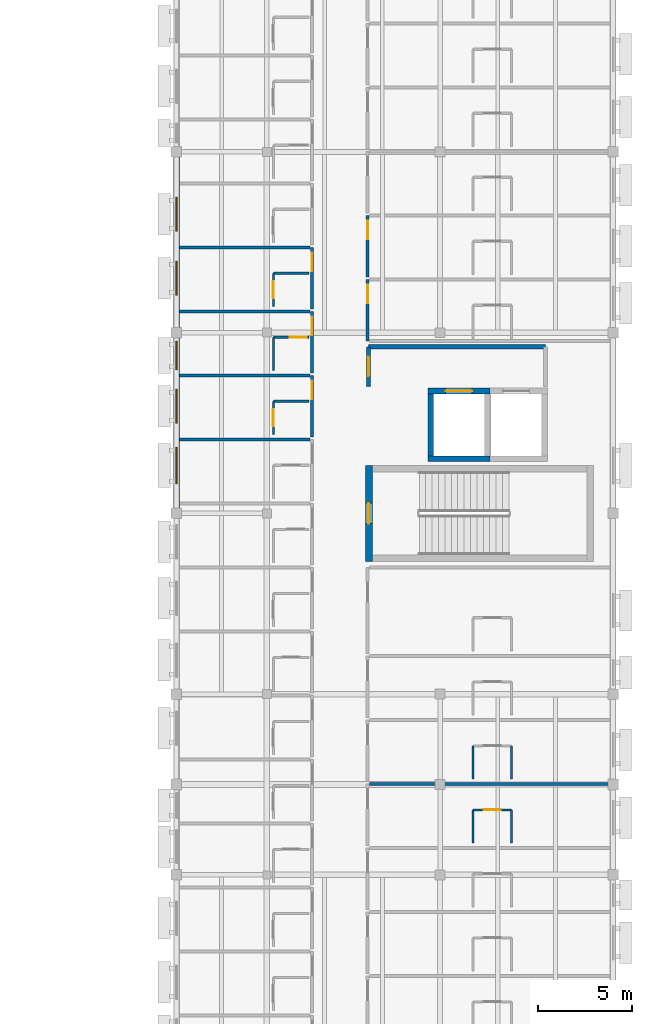
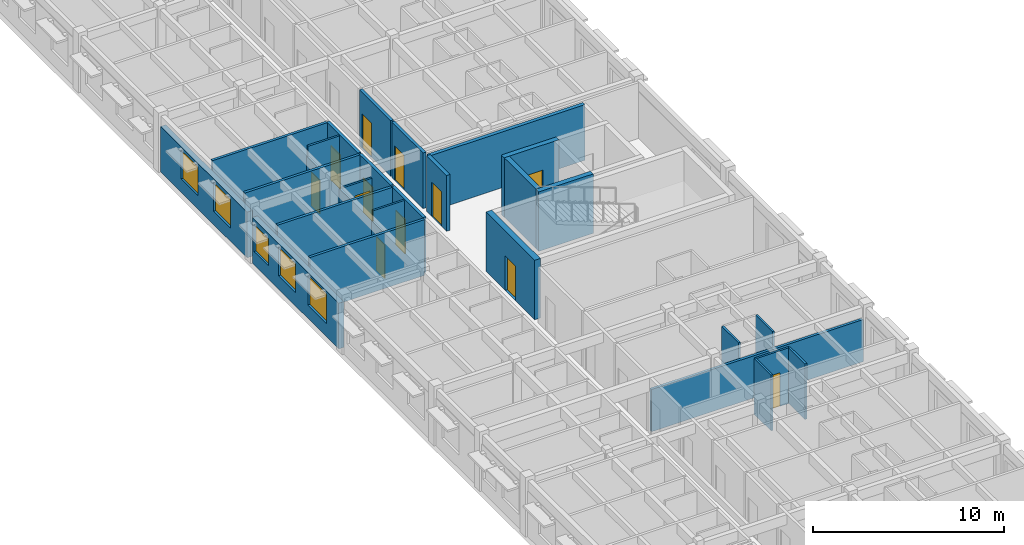
# One storey, part 28 of 40: 29 walls, 12 doors, 5 windows, 17 openings.
"""IFC4 building model written with IfcOpenShell, lengths in metres."""

from ifc_helpers import new_model, si_unit, direction, frame, frame_2d, origin, place, context, subcontext, project, spatial, rectangle, extrude, material, layer, layer_set, type_object, element, fill, save


model = new_model("IFC4")

# Units and contexts
model_context = context("Model", 3, precision=1e-05, world=origin(), true_north=direction((0.0, 1.0)))
body_context = subcontext(model_context, "Body", "Model", "MODEL_VIEW")
ifc_project = project(units=[si_unit("LENGTHUNIT", "METRE"), si_unit("AREAUNIT", "SQUARE_METRE"), si_unit("VOLUMEUNIT", "CUBIC_METRE"), si_unit("PLANEANGLEUNIT", "RADIAN"), si_unit("MASSUNIT", "GRAM", prefix="KILO")], contexts=[model_context])

# Site, building, storey
site_placement = place(None, origin())
site = spatial("IfcSite", under=ifc_project, at=site_placement, CompositionType="ELEMENT")
building_placement = place(site_placement, origin())
building = spatial("IfcBuilding", under=site, at=building_placement, Name="Veldera Park Congress Hotel", CompositionType="ELEMENT")
storey_placement = place(building_placement, frame((0.0, 0.0, 16.199951171875)))
storey = spatial("IfcBuildingStorey", under=building, at=storey_placement, Name="L03", CompositionType="ELEMENT", Elevation=16.199951171875)

# Wall, openings, windows
ifc_material_1 = material(Name="Cross-laminated timber CLT V2M1.1", Category="wood")
ifc_layer_1 = layer(ifc_material_1, 0.320068359375)
ifc_layer_set_1 = layer_set([ifc_layer_1], Name="Cross-laminated timber CLT V2M1.1")
wall_type_1 = type_object("IfcWallType", Name="EW-CLT320", PredefinedType="STANDARD", material=ifc_layer_set_1)
wall_1_placement = place(storey_placement, frame((60.800048828125, 9.922119140625, 0.0), z_axis=(0.0, 0.0, 1.0), x_axis=(0.0, -1.0, 0.0)))
wall_1 = element("IfcWall", 1, at=wall_1_placement, inside=storey, type_object=wall_type_1, Name="L03 Exterior Wall EW3-L03-0235", PredefinedType="STANDARD", context=body_context, shape_type="SweptSolid", body=[
    extrude(rectangle(XDim=9.044189453125, YDim=0.320068359375, at=frame_2d((4.52197265625, 0.0))), origin(), (0.0, 0.0, 1.0), 2.9150390625),
])
opening_1_placement = place(wall_1_placement, frame((5.531982421875, 0.0, 0.85009765625)))
opening_1 = element("IfcOpeningElement", 2, at=opening_1_placement, cuts=wall_1, Name="Opening WIN-1800", PredefinedType="OPENING", context=body_context, shape_type="SweptSolid", body=[
    extrude(rectangle(XDim=1.800048828125, YDim=1.85009765625, at=frame_2d((0.89990234375, 0.925048828125))), frame((0.0, 0.172119140625, 0.0), z_axis=(0.0, -1.0, 0.0), x_axis=(1.0, 0.0, 0.0)), (0.0, 0.0, 1.0), 0.343994140625),
])
opening_2_placement = place(wall_1_placement, frame((2.132080078125, 0.0, 0.85009765625)))
opening_2 = element("IfcOpeningElement", 3, at=opening_2_placement, cuts=wall_1, Name="Opening WIN-1800", PredefinedType="OPENING", context=body_context, shape_type="SweptSolid", body=[
    extrude(rectangle(XDim=1.800048828125, YDim=1.85009765625, at=frame_2d((0.89990234375, 0.925048828125))), frame((0.0, 0.172119140625, 0.0), z_axis=(0.0, -1.0, 0.0), x_axis=(1.0, 0.0, 0.0)), (0.0, 0.0, 1.0), 0.343994140625),
])
ifc_material_2 = material(Name="Low-E Triple Insulating Glass Unit (SHGC 0.22)", Category="glass")
window_type_1 = type_object("IfcWindowType", Name="WIN-1800", PartitioningType="SINGLE_PANEL", PredefinedType="WINDOW", material=ifc_material_2)
window_1_placement = place(opening_1_placement, origin())
window_1 = element("IfcWindow", 4, at=window_1_placement, inside=storey, type_object=window_type_1, Name="L03 Window WIN-1800 410", OverallHeight=1.85009765625, OverallWidth=1.800048828125, PartitioningType="SINGLE_PANEL", PredefinedType="WINDOW", context=body_context, shape_type="SweptSolid", body=[
    extrude(rectangle(XDim=1.800048828125, YDim=1.85009765625, at=frame_2d((0.89990234375, 0.925048828125))), frame((0.0, 0.030029296875, 0.0), z_axis=(0.0, -1.0, 0.0), x_axis=(1.0, 0.0, 0.0)), (0.0, 0.0, 1.0), 0.06005859375),
])
fill(opening_1, window_1)
window_2_placement = place(opening_2_placement, origin())
window_2 = element("IfcWindow", 5, at=window_2_placement, inside=storey, type_object=window_type_1, Name="L03 Window WIN-1800 411", OverallHeight=1.85009765625, OverallWidth=1.800048828125, PartitioningType="SINGLE_PANEL", PredefinedType="WINDOW", context=body_context, shape_type="SweptSolid", body=[
    extrude(rectangle(XDim=1.800048828125, YDim=1.85009765625, at=frame_2d((0.89990234375, 0.925048828125))), frame((0.0, 0.030029296875, 0.0), z_axis=(0.0, -1.0, 0.0), x_axis=(1.0, 0.0, 0.0)), (0.0, 0.0, 1.0), 0.06005859375),
])
fill(opening_2, window_2)

wall_2_placement = place(storey_placement, frame((60.800048828125, 0.322021484375, 0.0), z_axis=(0.0, 0.0, 1.0), x_axis=(0.0, -1.0, 0.0)))
wall_2 = element("IfcWall", 6, at=wall_2_placement, inside=storey, type_object=wall_type_1, Name="L03 Exterior Wall EW3-L03-0236", PredefinedType="STANDARD", context=body_context, shape_type="SweptSolid", body=[
    extrude(rectangle(XDim=9.0439453125, YDim=0.320068359375, at=frame_2d((4.52197265625, 0.0))), origin(), (0.0, 0.0, 1.0), 2.9150390625),
])
opening_3_placement = place(wall_2_placement, frame((5.80810546875, 0.0, 0.85009765625)))
opening_3 = element("IfcOpeningElement", 7, at=opening_3_placement, cuts=wall_2, Name="Opening WIN-1950", PredefinedType="OPENING", context=body_context, shape_type="SweptSolid", body=[
    extrude(rectangle(XDim=1.949951171875, YDim=1.89990234375, at=frame_2d((0.97509765625, 0.949951171875))), frame((0.0, 0.172119140625, 0.0), z_axis=(0.0, -1.0, 0.0), x_axis=(1.0, 0.0, 0.0)), (0.0, 0.0, 1.0), 0.343994140625),
])
opening_4_placement = place(wall_2_placement, frame((2.73193359375, 0.0, 0.85009765625)))
opening_4 = element("IfcOpeningElement", 8, at=opening_4_placement, cuts=wall_2, Name="Opening WIN-1800", PredefinedType="OPENING", context=body_context, shape_type="SweptSolid", body=[
    extrude(rectangle(XDim=1.800048828125, YDim=1.85009765625, at=frame_2d((0.89990234375, 0.925048828125))), frame((0.0, 0.172119140625, 0.0), z_axis=(0.0, -1.0, 0.0), x_axis=(1.0, 0.0, 0.0)), (0.0, 0.0, 1.0), 0.343994140625),
])
opening_5_placement = place(wall_2_placement, frame((0.18603515625, 0.0, 0.85009765625)))
opening_5 = element("IfcOpeningElement", 9, at=opening_5_placement, cuts=wall_2, Name="Opening WIN-1500", PredefinedType="OPENING", context=body_context, shape_type="SweptSolid", body=[
    extrude(rectangle(XDim=1.5, YDim=1.75, at=frame_2d((0.75, 0.875))), frame((0.0, 0.172119140625, 0.0), z_axis=(0.0, -1.0, 0.0), x_axis=(1.0, 0.0, 0.0)), (0.0, 0.0, 1.0), 0.343994140625),
])
window_type_2 = type_object("IfcWindowType", Name="WIN-1500", PartitioningType="SINGLE_PANEL", PredefinedType="WINDOW", material=ifc_material_2)
window_3_placement = place(opening_5_placement, origin())
window_3 = element("IfcWindow", 10, at=window_3_placement, inside=storey, type_object=window_type_2, Name="L03 Window WIN-1500 409", OverallHeight=1.75, OverallWidth=1.5, PartitioningType="SINGLE_PANEL", PredefinedType="WINDOW", context=body_context, shape_type="SweptSolid", body=[
    extrude(rectangle(XDim=1.5, YDim=1.75, at=frame_2d((0.75, 0.875))), frame((0.0, 0.030029296875, 0.0), z_axis=(0.0, -1.0, 0.0), x_axis=(1.0, 0.0, 0.0)), (0.0, 0.0, 1.0), 0.06005859375),
])
fill(opening_5, window_3)
window_4_placement = place(opening_4_placement, origin())
window_4 = element("IfcWindow", 11, at=window_4_placement, inside=storey, type_object=window_type_1, Name="L03 Window WIN-1800 408", OverallHeight=1.85009765625, OverallWidth=1.800048828125, PartitioningType="SINGLE_PANEL", PredefinedType="WINDOW", context=body_context, shape_type="SweptSolid", body=[
    extrude(rectangle(XDim=1.800048828125, YDim=1.85009765625, at=frame_2d((0.89990234375, 0.925048828125))), frame((0.0, 0.030029296875, 0.0), z_axis=(0.0, -1.0, 0.0), x_axis=(1.0, 0.0, 0.0)), (0.0, 0.0, 1.0), 0.06005859375),
])
fill(opening_4, window_4)
window_type_3 = type_object("IfcWindowType", Name="WIN-1950", PartitioningType="DOUBLE_PANEL_VERTICAL", PredefinedType="WINDOW", material=ifc_material_2)
window_5_placement = place(opening_3_placement, origin())
window_5 = element("IfcWindow", 12, at=window_5_placement, inside=storey, type_object=window_type_3, Name="L03 Window WIN-1950 198", OverallHeight=1.89990234375, OverallWidth=1.949951171875, PartitioningType="DOUBLE_PANEL_VERTICAL", PredefinedType="WINDOW", context=body_context, shape_type="SweptSolid", body=[
    extrude(rectangle(XDim=1.949951171875, YDim=1.89990234375, at=frame_2d((0.97509765625, 0.949951171875))), frame((0.0, 0.030029296875, 0.0), z_axis=(0.0, -1.0, 0.0), x_axis=(1.0, 0.0, 0.0)), (0.0, 0.0, 1.0), 0.06005859375),
])
fill(opening_3, window_5)

# Wall, opening, door
ifc_material_3 = material(Name="Fire-Rated Gypsum Board on Cold-Formed Steel Studs", Category="steel")
ifc_layer_2 = layer(ifc_material_3, 0.1201171875)
ifc_layer_set_2 = layer_set([ifc_layer_2], Name="Fire-Rated Gypsum Board on Cold-Formed Steel Studs")
wall_type_2 = type_object("IfcWallType", Name="IW-BATH120", PredefinedType="PARTITIONING", material=ifc_layer_set_2)
wall_3_placement = place(storey_placement, frame((65.949951171875, -4.800048828125, 0.0), z_axis=(0.0, 0.0, 1.0), x_axis=(0.0, 1.0, 0.0)))
wall_3 = element("IfcWall", 13, at=wall_3_placement, inside=storey, type_object=wall_type_2, Name="L03 Partition Wall IW3-L03-00630", PredefinedType="PARTITIONING", context=body_context, shape_type="SweptSolid", body=[
    extrude(rectangle(XDim=1.75, YDim=0.1201171875, at=frame_2d((0.875, 0.0))), origin(), (0.0, 0.0, 1.0), 2.9150390625),
])
opening_6_placement = place(wall_3_placement, frame((0.425048828125, 0.0, 0.0)))
opening_6 = element("IfcOpeningElement", 14, at=opening_6_placement, cuts=wall_3, Name="Opening ID-BATH090", PredefinedType="OPENING", context=body_context, shape_type="SweptSolid", body=[
    extrude(rectangle(XDim=0.89990234375, YDim=2.14990234375, at=frame_2d((0.449951171875, 1.074951171875))), frame((0.0, 0.072021484375, 0.0), z_axis=(0.0, -1.0, 0.0), x_axis=(1.0, 0.0, 0.0)), (0.0, 0.0, 1.0), 0.14404296875),
])
ifc_material_4 = material(Name="Solid Core White Oak Architectural Door", Category="wood")
door_type_1 = type_object("IfcDoorType", Name="ID-BATH090", OperationType="NOTDEFINED", PredefinedType="DOOR", material=ifc_material_4)
door_1_placement = place(opening_6_placement, origin())
door_1 = element("IfcDoor", 15, at=door_1_placement, inside=storey, type_object=door_type_1, Name="L03 En-suite 059 Door ID3-L03-0257 (DR3-ID3-L03-0257)", OperationType="SINGLE_SWING_LEFT", OverallHeight=2.14990234375, OverallWidth=0.89990234375, PredefinedType="DOOR", context=body_context, shape_type="SweptSolid", body=[
    extrude(rectangle(XDim=0.89990234375, YDim=2.14990234375, at=frame_2d((0.449951171875, 1.074951171875))), frame((0.0, 0.02490234375, 0.0), z_axis=(0.0, -1.0, 0.0), x_axis=(1.0, 0.0, 0.0)), (0.0, 0.0, 1.0), 0.050048828125),
])
fill(opening_6, door_1)

# Walls
wall_4_placement = place(storey_placement, frame((65.949951171875, -3.050048828125, 0.0), z_axis=(0.0, 0.0, 1.0), x_axis=(1.0, 0.0, 0.0)))
element("IfcWall", 16, at=wall_4_placement, inside=storey, type_object=wall_type_2, Name="L03 Partition Wall IW3-L03-00631", PredefinedType="PARTITIONING", context=body_context, shape_type="SweptSolid", body=[
    extrude(rectangle(XDim=1.900146484375, YDim=0.1201171875, at=frame_2d((0.9501953125, 0.0))), origin(), (0.0, 0.0, 1.0), 3.56005859375),
])
wall_5_placement = place(storey_placement, frame((65.949951171875, -1.39990234375, 0.0), z_axis=(0.0, 0.0, 1.0), x_axis=(0.0, 1.0, 0.0)))
element("IfcWall", 17, at=wall_5_placement, inside=storey, type_object=wall_type_2, Name="L03 Partition Wall IW3-L03-00634", PredefinedType="PARTITIONING", context=body_context, shape_type="SweptSolid", body=[
    extrude(rectangle(XDim=1.75, YDim=0.1201171875, at=frame_2d((0.875, 0.0))), origin(), (0.0, 0.0, 1.0), 2.9150390625),
])

# Wall, opening, door
wall_6_placement = place(storey_placement, frame((65.949951171875, 0.35009765625, 0.0), z_axis=(0.0, 0.0, 1.0), x_axis=(1.0, 0.0, 0.0)))
wall_6 = element("IfcWall", 18, at=wall_6_placement, inside=storey, type_object=wall_type_2, Name="L03 Partition Wall IW3-L03-00635", PredefinedType="PARTITIONING", context=body_context, shape_type="SweptSolid", body=[
    extrude(rectangle(XDim=1.900146484375, YDim=0.1201171875, at=frame_2d((0.9501953125, 0.0))), origin(), (0.0, 0.0, 1.0), 2.9150390625),
])
opening_7_placement = place(wall_6_placement, frame((0.8798828125, 0.0, 0.0)))
opening_7 = element("IfcOpeningElement", 19, at=opening_7_placement, cuts=wall_6, Name="Opening ID-BATH090", PredefinedType="OPENING", context=body_context, shape_type="SweptSolid", body=[
    extrude(rectangle(XDim=0.89990234375, YDim=2.14990234375, at=frame_2d((0.449951171875, 1.074951171875))), frame((0.0, 0.072021484375, 0.0), z_axis=(0.0, -1.0, 0.0), x_axis=(1.0, 0.0, 0.0)), (0.0, 0.0, 1.0), 0.14404296875),
])
door_2_placement = place(opening_7_placement, origin())
door_2 = element("IfcDoor", 20, at=door_2_placement, inside=storey, type_object=door_type_1, Name="L03 En-suite 060 Door ID3-L03-0259 (DR3-ID3-L03-0259)", OperationType="SINGLE_SWING_LEFT", OverallHeight=2.14990234375, OverallWidth=0.89990234375, PredefinedType="DOOR", context=body_context, shape_type="SweptSolid", body=[
    extrude(rectangle(XDim=0.89990234375, YDim=2.14990234375, at=frame_2d((0.449951171875, 1.074951171875))), frame((0.0, 0.02490234375, 0.0), z_axis=(0.0, -1.0, 0.0), x_axis=(1.0, 0.0, 0.0)), (0.0, 0.0, 1.0), 0.050048828125),
])
fill(opening_7, door_2)

wall_7_placement = place(storey_placement, frame((65.949951171875, 2.0, 0.0), z_axis=(0.0, 0.0, 1.0), x_axis=(0.0, 1.0, 0.0)))
wall_7 = element("IfcWall", 21, at=wall_7_placement, inside=storey, type_object=wall_type_2, Name="L03 Partition Wall IW3-L03-00638", PredefinedType="PARTITIONING", context=body_context, shape_type="SweptSolid", body=[
    extrude(rectangle(XDim=1.75, YDim=0.1201171875, at=frame_2d((0.875, 0.0))), origin(), (0.0, 0.0, 1.0), 2.9150390625),
])
opening_8_placement = place(wall_7_placement, frame((0.425048828125, 0.0, 0.0)))
opening_8 = element("IfcOpeningElement", 22, at=opening_8_placement, cuts=wall_7, Name="Opening ID-BATH090", PredefinedType="OPENING", context=body_context, shape_type="SweptSolid", body=[
    extrude(rectangle(XDim=0.89990234375, YDim=2.14990234375, at=frame_2d((0.449951171875, 1.074951171875))), frame((0.0, 0.072021484375, 0.0), z_axis=(0.0, -1.0, 0.0), x_axis=(1.0, 0.0, 0.0)), (0.0, 0.0, 1.0), 0.14404296875),
])
door_3_placement = place(opening_8_placement, origin())
door_3 = element("IfcDoor", 23, at=door_3_placement, inside=storey, type_object=door_type_1, Name="L03 En-suite 061 Door ID3-L03-0261 (DR3-ID3-L03-0261)", OperationType="SINGLE_SWING_LEFT", OverallHeight=2.14990234375, OverallWidth=0.89990234375, PredefinedType="DOOR", context=body_context, shape_type="SweptSolid", body=[
    extrude(rectangle(XDim=0.89990234375, YDim=2.14990234375, at=frame_2d((0.449951171875, 1.074951171875))), frame((0.0, 0.02490234375, 0.0), z_axis=(0.0, -1.0, 0.0), x_axis=(1.0, 0.0, 0.0)), (0.0, 0.0, 1.0), 0.050048828125),
])
fill(opening_8, door_3)

# Walls
wall_8_placement = place(storey_placement, frame((65.949951171875, 3.75, 0.0), z_axis=(0.0, 0.0, 1.0), x_axis=(1.0, 0.0, 0.0)))
element("IfcWall", 24, at=wall_8_placement, inside=storey, type_object=wall_type_2, Name="L03 Partition Wall IW3-L03-00639", PredefinedType="PARTITIONING", context=body_context, shape_type="SweptSolid", body=[
    extrude(rectangle(XDim=1.900146484375, YDim=0.1201171875, at=frame_2d((0.9501953125, 0.0))), origin(), (0.0, 0.0, 1.0), 3.56005859375),
])
for number, where, z_axis, x_axis, name in (
    (25, (76.550048828125, -26.5, 0.0), (0.0, 0.0, 1.0), (0.0, 1.0, 0.0), "L03 Partition Wall IW3-L03-00701"),
    (26, (78.60009765625, -26.5, 0.0), (0.0, 0.0, 1.0), (0.0, 1.0, 0.0), "L03 Partition Wall IW3-L03-00702"),
):
    element("IfcWall", number, at=place(storey_placement, frame(where, z_axis=z_axis, x_axis=x_axis)), inside=storey, type_object=wall_type_2, Name=name, PredefinedType="PARTITIONING", context=body_context, shape_type="SweptSolid", body=[
        extrude(rectangle(XDim=1.75, YDim=0.1201171875, at=frame_2d((0.875, 0.0))), origin(), (0.0, 0.0, 1.0), 3.56005859375),
    ])

# Wall, opening, door
wall_9_placement = place(storey_placement, frame((76.550048828125, -24.75, 0.0), z_axis=(0.0, 0.0, 1.0), x_axis=(1.0, 0.0, 0.0)))
wall_9 = element("IfcWall", 27, at=wall_9_placement, inside=storey, type_object=wall_type_2, Name="L03 Partition Wall IW3-L03-00703", PredefinedType="PARTITIONING", context=body_context, shape_type="SweptSolid", body=[
    extrude(rectangle(XDim=2.050048828125, YDim=0.1201171875, at=frame_2d((1.02490234375, 0.0))), origin(), (0.0, 0.0, 1.0), 3.56005859375),
])
opening_9_placement = place(wall_9_placement, frame((0.574951171875, 0.0, 0.0)))
opening_9 = element("IfcOpeningElement", 28, at=opening_9_placement, cuts=wall_9, Name="Opening ID-BATH090", PredefinedType="OPENING", context=body_context, shape_type="SweptSolid", body=[
    extrude(rectangle(XDim=0.89990234375, YDim=2.14990234375, at=frame_2d((0.449951171875, 1.074951171875))), frame((0.0, 0.072021484375, 0.0), z_axis=(0.0, -1.0, 0.0), x_axis=(1.0, 0.0, 0.0)), (0.0, 0.0, 1.0), 0.14404296875),
])
door_4_placement = place(opening_9_placement, origin())
door_4 = element("IfcDoor", 29, at=door_4_placement, inside=storey, type_object=door_type_1, Name="L03 En-suite 075 Door ID3-L03-0289 (DR3-ID3-L03-0289)", OperationType="SINGLE_SWING_LEFT", OverallHeight=2.14990234375, OverallWidth=0.89990234375, PredefinedType="DOOR", context=body_context, shape_type="SweptSolid", body=[
    extrude(rectangle(XDim=0.89990234375, YDim=2.14990234375, at=frame_2d((0.449951171875, 1.074951171875))), frame((0.0, 0.02490234375, 0.0), z_axis=(0.0, -1.0, 0.0), x_axis=(1.0, 0.0, 0.0)), (0.0, 0.0, 1.0), 0.050048828125),
])
fill(opening_9, door_4)

# Walls
for number, where, z_axis, x_axis, name in (
    (30, (76.550048828125, -23.10009765625, 0.0), (0.0, 0.0, 1.0), (0.0, 1.0, 0.0), "L03 Partition Wall IW3-L03-00706"),
    (31, (78.60009765625, -23.10009765625, 0.0), (0.0, 0.0, 1.0), (0.0, 1.0, 0.0), "L03 Partition Wall IW3-L03-00707"),
):
    element("IfcWall", number, at=place(storey_placement, frame(where, z_axis=z_axis, x_axis=x_axis)), inside=storey, type_object=wall_type_2, Name=name, PredefinedType="PARTITIONING", context=body_context, shape_type="SweptSolid", body=[
        extrude(rectangle(XDim=1.75, YDim=0.1201171875, at=frame_2d((0.875, 0.0))), origin(), (0.0, 0.0, 1.0), 3.56005859375),
    ])

# Wall, opening, door
ifc_layer_3 = layer(ifc_material_3, 0.179931640625)
ifc_layer_set_3 = layer_set([ifc_layer_3], Name="Fire-Rated Gypsum Board on Cold-Formed Steel Studs")
wall_type_3 = type_object("IfcWallType", Name="IW-CORR180", PredefinedType="PARTITIONING", material=ifc_layer_set_3)
wall_10_placement = place(storey_placement, frame((68.0, -4.949951171875, 0.0), z_axis=(0.0, 0.0, 1.0), x_axis=(0.0, 1.0, 0.0)))
wall_10 = element("IfcWall", 32, at=wall_10_placement, inside=storey, type_object=wall_type_3, Name="L03 Corridor Wall IW3-L03-00628", PredefinedType="PARTITIONING", context=body_context, shape_type="SweptSolid", body=[
    extrude(rectangle(XDim=3.280029296875, YDim=0.179931640625, at=frame_2d((1.64013671875, 0.0))), origin(), (0.0, 0.0, 1.0), 3.56005859375),
])
opening_10_placement = place(wall_10_placement, frame((2.0, 0.0, 0.0)))
opening_10 = element("IfcOpeningElement", 33, at=opening_10_placement, cuts=wall_10, Name="Opening ID-UNIT100", PredefinedType="OPENING", context=body_context, shape_type="SweptSolid", body=[
    extrude(rectangle(XDim=1.0, YDim=2.199951171875, at=frame_2d((0.5, 1.10009765625))), frame((0.0, 0.10205078125, 0.0), z_axis=(0.0, -1.0, 0.0), x_axis=(1.0, 0.0, 0.0)), (0.0, 0.0, 1.0), 0.203857421875),
])
door_type_2 = type_object("IfcDoorType", Name="ID-UNIT100", OperationType="NOTDEFINED", PredefinedType="DOOR", material=ifc_material_4)
door_5_placement = place(opening_10_placement, origin())
door_5 = element("IfcDoor", 34, at=door_5_placement, inside=storey, type_object=door_type_2, Name="L03 Guestroom 059 Entry Door (DR3-UD3-L03-059)", OperationType="SINGLE_SWING_RIGHT", OverallHeight=2.199951171875, OverallWidth=1.0, PredefinedType="DOOR", context=body_context, shape_type="SweptSolid", body=[
    extrude(rectangle(XDim=1.0, YDim=2.199951171875, at=frame_2d((0.5, 1.10009765625))), frame((0.0, 0.02490234375, 0.0), z_axis=(0.0, -1.0, 0.0), x_axis=(1.0, 0.0, 0.0)), (0.0, 0.0, 1.0), 0.050048828125),
])
fill(opening_10, door_5)

wall_11_placement = place(storey_placement, frame((68.0, -1.550048828125, 0.0), z_axis=(0.0, 0.0, 1.0), x_axis=(0.0, 1.0, 0.0)))
wall_11 = element("IfcWall", 35, at=wall_11_placement, inside=storey, type_object=wall_type_3, Name="L03 Corridor Wall IW3-L03-00632", PredefinedType="PARTITIONING", context=body_context, shape_type="SweptSolid", body=[
    extrude(rectangle(XDim=3.280029296875, YDim=0.179931640625, at=frame_2d((1.64013671875, 0.0))), origin(), (0.0, 0.0, 1.0), 3.56005859375),
])
opening_11_placement = place(wall_11_placement, frame((2.0, 0.0, 0.0)))
opening_11 = element("IfcOpeningElement", 36, at=opening_11_placement, cuts=wall_11, Name="Opening ID-UNIT100", PredefinedType="OPENING", context=body_context, shape_type="SweptSolid", body=[
    extrude(rectangle(XDim=1.0, YDim=2.199951171875, at=frame_2d((0.5, 1.10009765625))), frame((0.0, 0.10205078125, 0.0), z_axis=(0.0, -1.0, 0.0), x_axis=(1.0, 0.0, 0.0)), (0.0, 0.0, 1.0), 0.203857421875),
])
door_6_placement = place(opening_11_placement, origin())
door_6 = element("IfcDoor", 37, at=door_6_placement, inside=storey, type_object=door_type_2, Name="L03 Guestroom 060 Entry Door (DR3-UD3-L03-060)", OperationType="SINGLE_SWING_RIGHT", OverallHeight=2.199951171875, OverallWidth=1.0, PredefinedType="DOOR", context=body_context, shape_type="SweptSolid", body=[
    extrude(rectangle(XDim=1.0, YDim=2.199951171875, at=frame_2d((0.5, 1.10009765625))), frame((0.0, 0.02490234375, 0.0), z_axis=(0.0, -1.0, 0.0), x_axis=(1.0, 0.0, 0.0)), (0.0, 0.0, 1.0), 0.050048828125),
])
fill(opening_11, door_6)

wall_12_placement = place(storey_placement, frame((68.0, 1.85009765625, 0.0), z_axis=(0.0, 0.0, 1.0), x_axis=(0.0, 1.0, 0.0)))
wall_12 = element("IfcWall", 38, at=wall_12_placement, inside=storey, type_object=wall_type_3, Name="L03 Corridor Wall IW3-L03-00636", PredefinedType="PARTITIONING", context=body_context, shape_type="SweptSolid", body=[
    extrude(rectangle(XDim=3.27978515625, YDim=0.179931640625, at=frame_2d((1.639892578125, 0.0))), origin(), (0.0, 0.0, 1.0), 3.56005859375),
])
opening_12_placement = place(wall_12_placement, frame((2.0, 0.0, 0.0)))
opening_12 = element("IfcOpeningElement", 39, at=opening_12_placement, cuts=wall_12, Name="Opening ID-UNIT100", PredefinedType="OPENING", context=body_context, shape_type="SweptSolid", body=[
    extrude(rectangle(XDim=1.0, YDim=2.199951171875, at=frame_2d((0.5, 1.10009765625))), frame((0.0, 0.10205078125, 0.0), z_axis=(0.0, -1.0, 0.0), x_axis=(1.0, 0.0, 0.0)), (0.0, 0.0, 1.0), 0.203857421875),
])
door_7_placement = place(opening_12_placement, origin())
door_7 = element("IfcDoor", 40, at=door_7_placement, inside=storey, type_object=door_type_2, Name="L03 Guestroom 061 Entry Door (DR3-UD3-L03-061)", OperationType="SINGLE_SWING_RIGHT", OverallHeight=2.199951171875, OverallWidth=1.0, PredefinedType="DOOR", context=body_context, shape_type="SweptSolid", body=[
    extrude(rectangle(XDim=1.0, YDim=2.199951171875, at=frame_2d((0.5, 1.10009765625))), frame((0.0, 0.02490234375, 0.0), z_axis=(0.0, -1.0, 0.0), x_axis=(1.0, 0.0, 0.0)), (0.0, 0.0, 1.0), 0.050048828125),
])
fill(opening_12, door_7)

wall_13_placement = place(storey_placement, frame((70.949951171875, 3.429931640625, 0.0), z_axis=(0.0, 0.0, 1.0), x_axis=(0.0, -1.0, 0.0)))
wall_13 = element("IfcWall", 41, at=wall_13_placement, inside=storey, type_object=wall_type_3, Name="L03 Corridor Wall IW3-L03-00719", PredefinedType="PARTITIONING", context=body_context, shape_type="SweptSolid", body=[
    extrude(rectangle(XDim=3.280029296875, YDim=0.179931640625, at=frame_2d((1.64013671875, 0.0))), origin(), (0.0, 0.0, 1.0), 3.56005859375),
])
opening_13_placement = place(wall_13_placement, frame((0.280029296875, 0.0, 0.0)))
opening_13 = element("IfcOpeningElement", 42, at=opening_13_placement, cuts=wall_13, Name="Opening ID-UNIT100", PredefinedType="OPENING", context=body_context, shape_type="SweptSolid", body=[
    extrude(rectangle(XDim=1.0, YDim=2.199951171875, at=frame_2d((0.5, 1.10009765625))), frame((0.0, 0.10205078125, 0.0), z_axis=(0.0, -1.0, 0.0), x_axis=(1.0, 0.0, 0.0)), (0.0, 0.0, 1.0), 0.203857421875),
])
door_8_placement = place(opening_13_placement, origin())
door_8 = element("IfcDoor", 43, at=door_8_placement, inside=storey, type_object=door_type_2, Name="L03 Guestroom 079 Entry Door (DR3-UD3-L03-079)", OperationType="SINGLE_SWING_RIGHT", OverallHeight=2.199951171875, OverallWidth=1.0, PredefinedType="DOOR", context=body_context, shape_type="SweptSolid", body=[
    extrude(rectangle(XDim=1.0, YDim=2.199951171875, at=frame_2d((0.5, 1.10009765625))), frame((0.0, 0.02490234375, 0.0), z_axis=(0.0, -1.0, 0.0), x_axis=(1.0, 0.0, 0.0)), (0.0, 0.0, 1.0), 0.050048828125),
])
fill(opening_13, door_8)

wall_14_placement = place(storey_placement, frame((70.949951171875, 6.830078125, 0.0), z_axis=(0.0, 0.0, 1.0), x_axis=(0.0, -1.0, 0.0)))
wall_14 = element("IfcWall", 44, at=wall_14_placement, inside=storey, type_object=wall_type_3, Name="L03 Corridor Wall IW3-L03-00725", PredefinedType="PARTITIONING", context=body_context, shape_type="SweptSolid", body=[
    extrude(rectangle(XDim=3.280029296875, YDim=0.179931640625, at=frame_2d((1.64013671875, 0.0))), origin(), (0.0, 0.0, 1.0), 3.56005859375),
])
opening_14_placement = place(wall_14_placement, frame((0.280029296875, 0.0, 0.0)))
opening_14 = element("IfcOpeningElement", 45, at=opening_14_placement, cuts=wall_14, Name="Opening ID-UNIT100", PredefinedType="OPENING", context=body_context, shape_type="SweptSolid", body=[
    extrude(rectangle(XDim=1.0, YDim=2.199951171875, at=frame_2d((0.5, 1.10009765625))), frame((0.0, 0.10205078125, 0.0), z_axis=(0.0, -1.0, 0.0), x_axis=(1.0, 0.0, 0.0)), (0.0, 0.0, 1.0), 0.203857421875),
])
door_9_placement = place(opening_14_placement, origin())
door_9 = element("IfcDoor", 46, at=door_9_placement, inside=storey, type_object=door_type_2, Name="L03 Guestroom 080 Entry Door (DR3-UD3-L03-080)", OperationType="SINGLE_SWING_RIGHT", OverallHeight=2.199951171875, OverallWidth=1.0, PredefinedType="DOOR", context=body_context, shape_type="SweptSolid", body=[
    extrude(rectangle(XDim=1.0, YDim=2.199951171875, at=frame_2d((0.5, 1.10009765625))), frame((0.0, 0.02490234375, 0.0), z_axis=(0.0, -1.0, 0.0), x_axis=(1.0, 0.0, 0.0)), (0.0, 0.0, 1.0), 0.050048828125),
])
fill(opening_14, door_9)

# Wall
ifc_material_5 = material(Name="Concrete f'c 40 MPa (5,800 psi)", Category="concrete")
ifc_layer_4 = layer(ifc_material_5, 0.219970703125)
ifc_layer_set_4 = layer_set([ifc_layer_4], Name="Concrete f'c 40 MPa (5,800 psi)")
wall_type_4 = type_object("IfcWallType", Name="IW-FIRE220", PredefinedType="STANDARD", material=ifc_layer_set_4)
wall_15_placement = place(storey_placement, frame((80.39990234375, -0.14990234375, 0.0), z_axis=(0.0, 0.0, 1.0), x_axis=(-1.0, 0.0, 0.0)))
element("IfcWall", 47, at=wall_15_placement, inside=storey, type_object=wall_type_4, Name="L03 Partition Wall IW3-L03-00216", PredefinedType="STANDARD", context=body_context, shape_type="SweptSolid", body=[
    extrude(rectangle(XDim=9.39990234375, YDim=0.219970703125, at=frame_2d((4.699951171875, 0.0))), origin(), (0.0, 0.0, 1.0), 3.56005859375),
])

# Wall, opening, door
wall_16_placement = place(storey_placement, frame((71.0, -0.14990234375, 0.0), z_axis=(0.0, 0.0, 1.0), x_axis=(0.0, -1.0, 0.0)))
wall_16 = element("IfcWall", 48, at=wall_16_placement, inside=storey, type_object=wall_type_4, Name="L03 Partition Wall IW3-L03-00217", PredefinedType="STANDARD", context=body_context, shape_type="SweptSolid", body=[
    extrude(rectangle(XDim=2.10009765625, YDim=0.219970703125, at=frame_2d((1.050048828125, 0.0))), origin(), (0.0, 0.0, 1.0), 3.56005859375),
])
opening_15_placement = place(wall_16_placement, frame((0.52490234375, 0.0, 0.0)))
opening_15 = element("IfcOpeningElement", 49, at=opening_15_placement, cuts=wall_16, Name="Opening ID-MEET105", PredefinedType="OPENING", context=body_context, shape_type="SweptSolid", body=[
    extrude(rectangle(XDim=1.050048828125, YDim=2.199951171875, at=frame_2d((0.52490234375, 1.10009765625))), frame((0.0, 0.1220703125, 0.0), z_axis=(0.0, -1.0, 0.0), x_axis=(1.0, 0.0, 0.0)), (0.0, 0.0, 1.0), 0.243896484375),
])
door_type_3 = type_object("IfcDoorType", Name="ID-MEET105", OperationType="NOTDEFINED", PredefinedType="DOOR", material=ifc_material_4)
door_10_placement = place(opening_15_placement, origin())
door_10 = element("IfcDoor", 50, at=door_10_placement, inside=storey, type_object=door_type_3, Name="L03 Service Lift Lobby Door ID3-L03-0077 (DR3-ID3-L03-0077)", OperationType="SINGLE_SWING_LEFT", OverallHeight=2.199951171875, OverallWidth=1.050048828125, PredefinedType="DOOR", context=body_context, shape_type="SweptSolid", body=[
    extrude(rectangle(XDim=1.050048828125, YDim=2.199951171875, at=frame_2d((0.52490234375, 1.10009765625))), frame((0.0, 0.02490234375, 0.0), z_axis=(0.0, -1.0, 0.0), x_axis=(1.0, 0.0, 0.0)), (0.0, 0.0, 1.0), 0.050048828125),
])
fill(opening_15, door_10)

# Walls
ifc_layer_5 = layer(ifc_material_1, 0.159912109375)
ifc_layer_set_5 = layer_set([ifc_layer_5], Name="Cross-laminated timber CLT V2M1.1")
wall_type_5 = type_object("IfcWallType", Name="IW-UNIT160", PredefinedType="PARTITIONING", material=ifc_layer_set_5)
for number, where, z_axis, x_axis, name in (
    (51, (60.9599609375, -5.070068359375, 0.0), (0.0, 0.0, 1.0), (1.0, 0.0, 0.0), "L03 Partition Wall IW3-L03-00625"),
    (52, (60.9599609375, -1.669921875, 0.0), (0.0, 0.0, 1.0), (1.0, 0.0, 0.0), "L03 Partition Wall IW3-L03-00629"),
    (53, (60.9599609375, 1.72998046875, 0.0), (0.0, 0.0, 1.0), (1.0, 0.0, 0.0), "L03 Partition Wall IW3-L03-00633"),
    (54, (60.9599609375, 5.1298828125, 0.0), (0.0, 0.0, 1.0), (1.0, 0.0, 0.0), "L03 Partition Wall IW3-L03-00637"),
):
    element("IfcWall", number, at=place(storey_placement, frame(where, z_axis=z_axis, x_axis=x_axis)), inside=storey, type_object=wall_type_5, Name=name, PredefinedType="PARTITIONING", context=body_context, shape_type="SweptSolid", body=[
        extrude(rectangle(XDim=6.93994140625, YDim=0.159912109375, at=frame_2d((3.469970703125, 0.0))), origin(), (0.0, 0.0, 1.0), 3.56005859375),
    ])
wall_17_placement = place(storey_placement, frame((71.050048828125, -23.3701171875, 0.0), z_axis=(0.0, 0.0, 1.0), x_axis=(1.0, 0.0, 0.0)))
element("IfcWall", 55, at=wall_17_placement, inside=storey, type_object=wall_type_5, Name="L03 Partition Wall IW3-L03-00700", PredefinedType="PARTITIONING", context=body_context, shape_type="SweptSolid", body=[
    extrude(rectangle(XDim=12.7900390625, YDim=0.159912109375, at=frame_2d((6.39501953125, 0.0))), origin(), (0.0, 0.0, 1.0), 2.695068359375),
])

# Wall, opening, door
ifc_layer_6 = layer(ifc_material_5, 0.35009765625)
ifc_layer_set_6 = layer_set([ifc_layer_6], Name="Concrete f'c 40 MPa (5,800 psi)")
wall_type_6 = type_object("IfcWallType", Name="SW-CORE350", PredefinedType="SHEAR", material=ifc_layer_set_6)
wall_18_placement = place(storey_placement, frame((71.02490234375, -6.449951171875, 0.0), z_axis=(0.0, 0.0, 1.0), x_axis=(0.0, -1.0, 0.0)))
wall_18 = element("IfcWall", 56, at=wall_18_placement, inside=storey, type_object=wall_type_6, Name="Stair ST2 Core Wall L03-W", PredefinedType="SHEAR", context=body_context, shape_type="SweptSolid", body=[
    extrude(rectangle(XDim=5.10009765625, YDim=0.35009765625, at=frame_2d((2.550048828125, 0.0))), origin(), (0.0, 0.0, 1.0), 3.800048828125),
])
opening_16_placement = place(wall_18_placement, frame((2.0, 0.0, 0.0)))
opening_16 = element("IfcOpeningElement", 57, at=opening_16_placement, cuts=wall_18, Name="Opening ID-STAIR110", PredefinedType="OPENING", context=body_context, shape_type="SweptSolid", body=[
    extrude(rectangle(XDim=1.10009765625, YDim=2.199951171875, at=frame_2d((0.550048828125, 1.10009765625))), frame((0.0, 0.18701171875, 0.0), z_axis=(0.0, -1.0, 0.0), x_axis=(1.0, 0.0, 0.0)), (0.0, 0.0, 1.0), 0.3740234375),
])
ifc_material_6 = material(Name="Hollow Metal Fire-Rated Steel Door", Category="steel")
door_type_4 = type_object("IfcDoorType", Name="ID-STAIR110", OperationType="NOTDEFINED", PredefinedType="DOOR", material=ifc_material_6)
door_11_placement = place(opening_16_placement, origin())
door_11 = element("IfcDoor", 58, at=door_11_placement, inside=storey, type_object=door_type_4, Name="L03 Stair ST2 Fire Door (DR3-SD-ST2-L03)", OperationType="SINGLE_SWING_RIGHT", OverallHeight=2.199951171875, OverallWidth=1.10009765625, PredefinedType="DOOR", context=body_context, shape_type="SweptSolid", body=[
    extrude(rectangle(XDim=1.10009765625, YDim=2.199951171875, at=frame_2d((0.550048828125, 1.10009765625))), frame((0.0, 0.02490234375, 0.0), z_axis=(0.0, -1.0, 0.0), x_axis=(1.0, 0.0, 0.0)), (0.0, 0.0, 1.0), 0.050048828125),
])
fill(opening_16, door_11)

# Wall
ifc_layer_7 = layer(ifc_material_5, 0.300048828125)
ifc_layer_set_7 = layer_set([ifc_layer_7], Name="Concrete f'c 40 MPa (5,800 psi)")
wall_type_7 = type_object("IfcWallType", Name="SW-SHFT300", PredefinedType="SHEAR", material=ifc_layer_set_7)
wall_19_placement = place(storey_placement, frame((74.14990234375, -6.10009765625, 0.0), z_axis=(0.0, 0.0, 1.0), x_axis=(1.0, 0.0, 0.0)))
element("IfcWall", 59, at=wall_19_placement, inside=storey, type_object=wall_type_7, Name="Lift SL-01 Shaft Wall L03-S", PredefinedType="SHEAR", context=body_context, shape_type="SweptSolid", body=[
    extrude(rectangle(XDim=3.300048828125, YDim=0.300048828125, at=frame_2d((1.64990234375, 0.0))), origin(), (0.0, 0.0, 1.0), 3.800048828125),
])

# Wall, opening, door
wall_20_placement = place(storey_placement, frame((77.449951171875, -2.5, 0.0), z_axis=(0.0, 0.0, 1.0), x_axis=(-1.0, 0.0, 0.0)))
wall_20 = element("IfcWall", 60, at=wall_20_placement, inside=storey, type_object=wall_type_7, Name="Lift SL-01 Shaft Wall L03-N", PredefinedType="SHEAR", context=body_context, shape_type="SweptSolid", body=[
    extrude(rectangle(XDim=3.300048828125, YDim=0.300048828125, at=frame_2d((1.64990234375, 0.0))), origin(), (0.0, 0.0, 1.0), 3.800048828125),
])
opening_17_placement = place(wall_20_placement, frame((0.949951171875, 0.0, 0.0)))
opening_17 = element("IfcOpeningElement", 61, at=opening_17_placement, cuts=wall_20, Name="Opening LD-140", PredefinedType="OPENING", context=body_context, shape_type="SweptSolid", body=[
    extrude(rectangle(XDim=1.39990234375, YDim=2.199951171875, at=frame_2d((0.699951171875, 1.10009765625))), frame((0.0, 0.162109375, 0.0), z_axis=(0.0, -1.0, 0.0), x_axis=(1.0, 0.0, 0.0)), (0.0, 0.0, 1.0), 0.323974609375),
])
door_type_5 = type_object("IfcDoorType", Name="LD-140", OperationType="DOUBLE_DOOR_SLIDING", PredefinedType="DOOR", material=ifc_material_6)
door_12_placement = place(opening_17_placement, origin())
door_12 = element("IfcDoor", 62, at=door_12_placement, inside=storey, type_object=door_type_5, Name="L03 Lift SL-01 Landing Door (DR3-LD-SL-01-L03)", OperationType="DOUBLE_DOOR_SLIDING", OverallHeight=2.199951171875, OverallWidth=1.39990234375, PredefinedType="DOOR", context=body_context, shape_type="SweptSolid", body=[
    extrude(rectangle(XDim=1.39990234375, YDim=2.199951171875, at=frame_2d((0.699951171875, 1.10009765625))), frame((0.0, 0.02490234375, 0.0), z_axis=(0.0, -1.0, 0.0), x_axis=(1.0, 0.0, 0.0)), (0.0, 0.0, 1.0), 0.050048828125),
])
fill(opening_17, door_12)

# Wall
wall_21_placement = place(storey_placement, frame((74.300048828125, -2.64990234375, 0.0), z_axis=(0.0, 0.0, 1.0), x_axis=(0.0, -1.0, 0.0)))
element("IfcWall", 63, at=wall_21_placement, inside=storey, type_object=wall_type_7, Name="Lift SL-01 Shaft Wall L03-W", PredefinedType="SHEAR", context=body_context, shape_type="SweptSolid", body=[
    extrude(rectangle(XDim=3.300048828125, YDim=0.300048828125, at=frame_2d((1.64990234375, 0.0))), origin(), (0.0, 0.0, 1.0), 3.800048828125),
])

save(model, "model.ifc")
